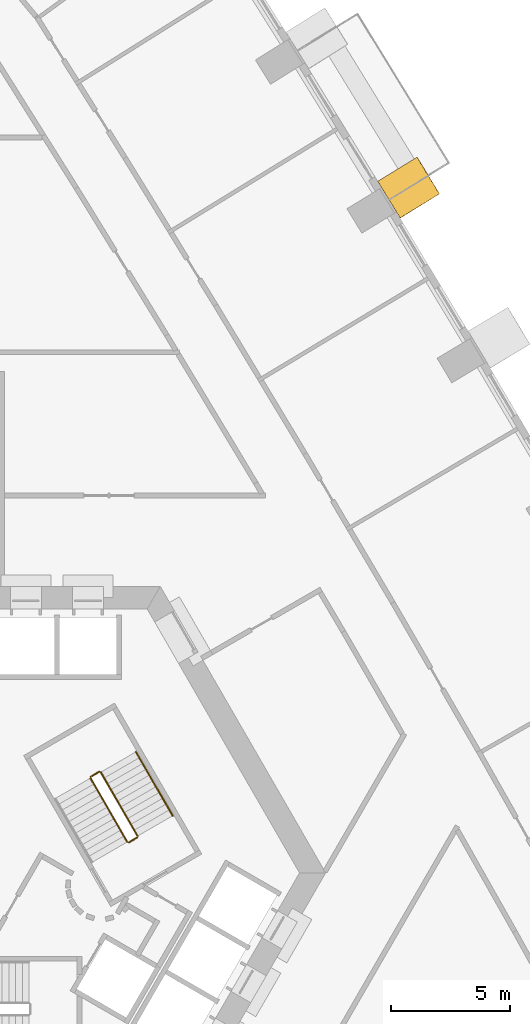
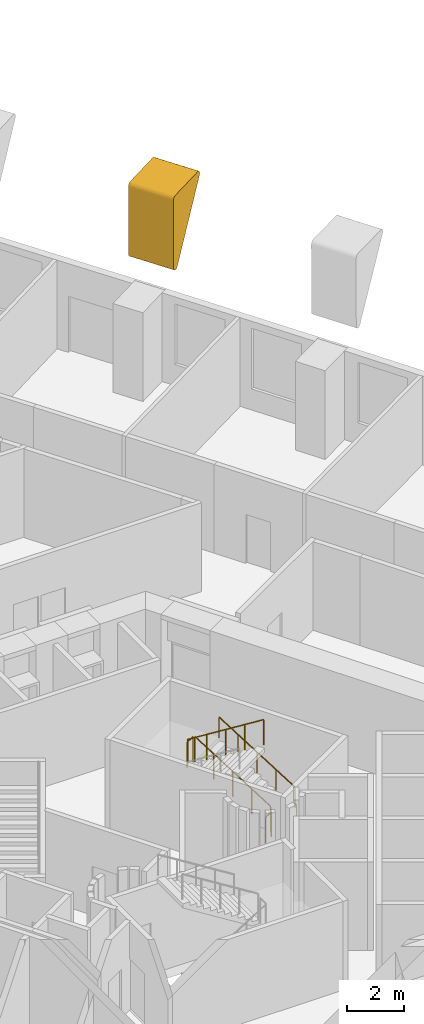
# One storey, part 16 of 17: 5 railings, 1 covering.
"""IFC4 building model written with IfcOpenShell, lengths in metres."""

from ifc_helpers import new_model, si_unit, direction, frame, origin, origin_2d, place, context, subcontext, project, spatial, polyline, circle, outline, extrude, material, type_object, element, save


model = new_model("IFC4")

# Units and contexts
model_context = context("Model", 3, precision=1e-05, world=origin(), true_north=direction((0.0, 1.0)))
body_context = subcontext(model_context, "Body", "Model", "MODEL_VIEW")
ifc_project = project(units=[si_unit("LENGTHUNIT", "METRE"), si_unit("AREAUNIT", "SQUARE_METRE"), si_unit("VOLUMEUNIT", "CUBIC_METRE"), si_unit("PLANEANGLEUNIT", "RADIAN"), si_unit("MASSUNIT", "GRAM", prefix="KILO")], contexts=[model_context])

# Site, building, storey
site_placement = place(None, origin())
site = spatial("IfcSite", under=ifc_project, at=site_placement, CompositionType="ELEMENT")
building_placement = place(site_placement, origin())
building = spatial("IfcBuilding", under=site, at=building_placement, Name="Entoto Arch Interchange Tower", CompositionType="ELEMENT")
storey_placement = place(building_placement, frame((0.0, 0.0, 72.800048828125)))
storey = spatial("IfcBuildingStorey", under=building, at=storey_placement, Name="L15", CompositionType="ELEMENT", Elevation=72.800048828125)

# Covering
ifc_material_1 = material(Name="Board-marked precast concrete C50/60", Category="concrete")
covering_type = type_object("IfcCoveringType", Name="PRECAST FRAME COURSE", PredefinedType="CLADDING", material=ifc_material_1)
covering_placement = place(storey_placement, frame((17.218017578125, 30.06689453125, 4.69384765625), z_axis=(0.521866193669, -0.853022882461, 0.002763675637), x_axis=(-0.502424368471, -0.309990473335, -0.807140421741)))
element("IfcCovering", 1, at=covering_placement, inside=storey, type_object=covering_type, Name="Fold rib NE08 L15-L16", PredefinedType="CLADDING", context=body_context, shape_type="SweptSolid", body=[
    extrude(outline(polyline([(0.0, 0.0), (0.029641047171843002, -1.734723475976807e-18), (0.05815961767507072, -0.005079870835426815), (0.09816924878832387, -0.022560654693129692), (0.1312895361170896, -0.050887385023396146), (0.15456089819516375, -0.08766536067498519), (0.1665153863833425, -0.1296516966150005), (0.16545143508548496, -0.1736894144884003), (0.15250451611214838, -0.21553608375082955), (0.13688050847266497, -0.23966742879235783), (0.11765619573404537, -0.26094079738554365), (-2.2203490485851343, -1.9715709970464035), (-2.245082707527577, -1.9869659579821424), (-2.2879748778616658, -1.9994537290439067), (-2.331507282757035, -1.9990746258886476), (-2.373582839243452, -1.9858004465910835), (-2.409652524576558, -1.9617102993290632), (-2.4295406946893405, -1.9398939878242194), (-3.396146874406004, -0.6183314780246374), (-3.4160682884446274, -0.5791033066860636), (-3.4236581689330166, -0.5501132016840773), (-3.4244243215827863, -0.5201177877881513), (-3.419837523225559, -0.4908242183989937), (-3.409349724391051, -0.462979088968533), (-3.393118844255956, -0.43761460941398167), (-3.3730306271813264, -0.41586722193311054), (-3.347999393968113, -0.3992225354176566), (-3.3213853942574585, -0.3868113124388004), (-3.2919777112505573, -0.38111732240409935), (0.0, 0.0)])), origin(), (0.0, 0.0, -1.0), 1.800048828125),
])

# Railings
ifc_material_2 = material(Name="Stainless steel 1.4301", Category="steel")
railing_type_1 = type_object("IfcRailingType", Name="STAIR GUARD 1100 STEEL", PredefinedType="GUARDRAIL", material=ifc_material_2)
railing_1_placement = place(storey_placement, frame((5.977783203125, 4.046142578125, 0.175048828125)))
element("IfcRailing", 2, at=railing_1_placement, inside=storey, type_object=railing_type_1, Name="L15 ST-NE stair guard 1", PredefinedType="GUARDRAIL", context=body_context, shape_type="SweptSolid", body=[
    extrude(circle(Radius=0.02392578125, at=origin_2d()), frame((0.0, 0.0, 1.076171875), z_axis=(-0.42403051051, 0.734390191396, 0.529970917068), x_axis=(-0.866010015463, -0.500026652407, 0.0)), (0.0, 0.0, 1.0), 3.6318359375),
    extrude(circle(Radius=0.02099609375, at=origin_2d()), origin(), (0.0, 0.0, 1.0), 1.052001953125),
    extrude(circle(Radius=0.02099609375, at=origin_2d()), frame((-0.385009765625, 0.666748046875, 0.481201171875)), (0.0, 0.0, 1.0), 1.052001953125),
    extrude(circle(Radius=0.02099609375, at=origin_2d()), frame((-0.77001953125, 1.33349609375, 0.96240234375)), (0.0, 0.0, 1.0), 1.052001953125),
    extrude(circle(Radius=0.02099609375, at=origin_2d()), frame((-1.155029296875, 2.00048828125, 1.443603515625)), (0.0, 0.0, 1.0), 1.052001953125),
    extrude(circle(Radius=0.02099609375, at=origin_2d()), frame((-1.5400390625, 2.667236328125, 1.9248046875)), (0.0, 0.0, 1.0), 1.052001953125),
])
railing_2_placement = place(storey_placement, frame((4.36962890625, 6.731689453125, 2.099853515625)))
element("IfcRailing", 3, at=railing_2_placement, inside=storey, type_object=railing_type_1, Name="L15 ST-NE stair guard 2", PredefinedType="GUARDRAIL", context=body_context, shape_type="SweptSolid", body=[
    extrude(circle(Radius=0.02392578125, at=origin_2d()), frame((0.0, 0.0, 1.076171875), z_axis=(-0.866094119867, -0.499880961361, 0.0), x_axis=(0.499880961361, -0.866094119867, 0.0)), (0.0, 0.0, 1.0), 0.39990234375),
    extrude(circle(Radius=0.02099609375, at=origin_2d()), origin(), (0.0, 0.0, 1.0), 1.052001953125),
    extrude(circle(Radius=0.02099609375, at=origin_2d()), frame((-0.346435546875, -0.199951171875, 0.0)), (0.0, 0.0, 1.0), 1.052001953125),
])
railing_3_placement = place(storey_placement, frame((4.0048828125, 6.46337890625, 2.27490234375)))
element("IfcRailing", 4, at=railing_3_placement, inside=storey, type_object=railing_type_1, Name="L15 ST-NE stair guard 3", PredefinedType="GUARDRAIL", context=body_context, shape_type="SweptSolid", body=[
    extrude(circle(Radius=0.02392578125, at=origin_2d()), frame((0.0, 0.0, 1.076171875), z_axis=(0.424015404183, -0.734364028329, 0.530019255228), x_axis=(0.866010015463, 0.500026652407, 0.0)), (0.0, 0.0, 1.0), 3.632080078125),
    extrude(circle(Radius=0.02099609375, at=origin_2d()), origin(), (0.0, 0.0, 1.0), 1.052001953125),
    extrude(circle(Radius=0.02099609375, at=origin_2d()), frame((0.385009765625, -0.666748046875, 0.481201171875)), (0.0, 0.0, 1.0), 1.052001953125),
    extrude(circle(Radius=0.02099609375, at=origin_2d()), frame((0.77001953125, -1.33349609375, 0.96240234375)), (0.0, 0.0, 1.0), 1.052001953125),
    extrude(circle(Radius=0.02099609375, at=origin_2d()), frame((1.155029296875, -2.00048828125, 1.44384765625)), (0.0, 0.0, 1.0), 1.052001953125),
    extrude(circle(Radius=0.02099609375, at=origin_2d()), frame((1.5400390625, -2.667236328125, 1.925048828125)), (0.0, 0.0, 1.0), 1.052001953125),
])
railing_4_placement = place(storey_placement, frame((5.95947265625, 3.977783203125, 0.0)))
element("IfcRailing", 5, at=railing_4_placement, inside=storey, type_object=railing_type_1, Name="L15 ST-NE stair guard 4", PredefinedType="GUARDRAIL", context=body_context, shape_type="SweptSolid", body=[
    extrude(circle(Radius=0.02392578125, at=origin_2d()), frame((0.0, 0.0, 1.076171875), z_axis=(-0.866094119867, -0.499880961361, 0.0), x_axis=(0.499880961361, -0.866094119867, 0.0)), (0.0, 0.0, 1.0), 0.39990234375),
    extrude(circle(Radius=0.02099609375, at=origin_2d()), origin(), (0.0, 0.0, 1.0), 1.052001953125),
    extrude(circle(Radius=0.02099609375, at=origin_2d()), frame((-0.346435546875, -0.199951171875, 0.0)), (0.0, 0.0, 1.0), 1.052001953125),
])
railing_type_2 = type_object("IfcRailingType", Name="STAIR HANDRAIL 900 STEEL", PredefinedType="HANDRAIL", material=ifc_material_2)
railing_5_placement = place(storey_placement, frame((7.4501953125, 4.89599609375, 0.175048828125)))
element("IfcRailing", 6, at=railing_5_placement, inside=storey, type_object=railing_type_2, Name="L15 ST-NE stair handrail 1", PredefinedType="HANDRAIL", context=body_context, shape_type="SweptSolid", body=[
    extrude(circle(Radius=0.02392578125, at=origin_2d()), frame((0.0, 0.0, 0.8759765625), z_axis=(-0.424009578203, 0.734421155904, 0.529944755001), x_axis=(-0.866029832698, -0.499992328818, 0.0)), (0.0, 0.0, 1.0), 3.632080078125),
    extrude(circle(Radius=0.02099609375, at=origin_2d()), origin(), (0.0, 0.0, 1.0), 0.851806640625),
    extrude(circle(Radius=0.02099609375, at=origin_2d()), frame((-0.385009765625, 0.6669921875, 0.481201171875)), (0.0, 0.0, 1.0), 0.851806640625),
    extrude(circle(Radius=0.02099609375, at=origin_2d()), frame((-0.77001953125, 1.333740234375, 0.96240234375)), (0.0, 0.0, 1.0), 0.851806640625),
    extrude(circle(Radius=0.02099609375, at=origin_2d()), frame((-1.155029296875, 2.00048828125, 1.443603515625)), (0.0, 0.0, 1.0), 0.851806640625),
    extrude(circle(Radius=0.02099609375, at=origin_2d()), frame((-1.5400390625, 2.66748046875, 1.9248046875)), (0.0, 0.0, 1.0), 0.851806640625),
])

save(model, "model.ifc")
